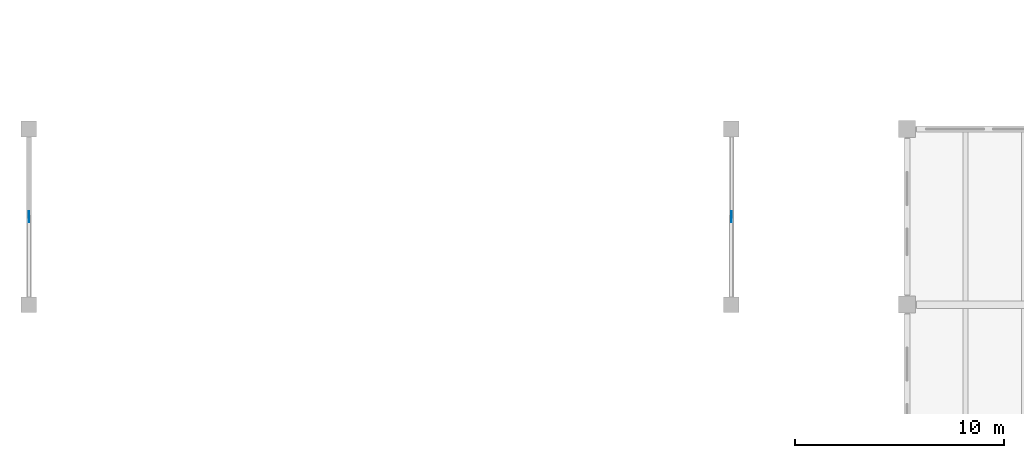
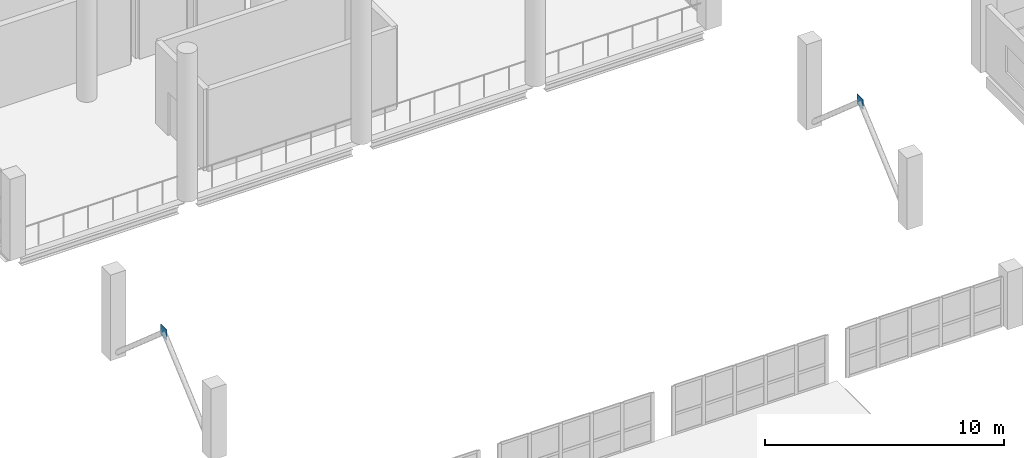
# One storey, part 141 of 177: 2 plates.
"""IFC4 building model written with IfcOpenShell, lengths in metres."""

from ifc_helpers import new_model, si_unit, direction, frame, origin, origin_2d, place, context, subcontext, project, spatial, rectangle, extrude, material, layer, layer_set, type_object, element, save


model = new_model("IFC4")

# Units and contexts
model_context = context("Model", 3, precision=1e-05, world=origin(), true_north=direction((0.0, 1.0)))
body_context = subcontext(model_context, "Body", "Model", "MODEL_VIEW")
ifc_project = project(units=[si_unit("LENGTHUNIT", "METRE"), si_unit("AREAUNIT", "SQUARE_METRE"), si_unit("VOLUMEUNIT", "CUBIC_METRE"), si_unit("PLANEANGLEUNIT", "RADIAN"), si_unit("MASSUNIT", "GRAM", prefix="KILO"), si_unit("THERMODYNAMICTEMPERATUREUNIT", "KELVIN"), si_unit("POWERUNIT", "WATT")], contexts=[model_context])

# Site, building, storey
site_placement = place(None, origin())
site = spatial("IfcSite", under=ifc_project, at=site_placement, CompositionType="ELEMENT")
building_placement = place(site_placement, origin())
building = spatial("IfcBuilding", under=site, at=building_placement, Name="Mavoryth Pier Ferry Terminal", CompositionType="ELEMENT")
storey_placement = place(building_placement, frame((0.0, 0.0, 5.43994140625)))
storey = spatial("IfcBuildingStorey", under=building, at=storey_placement, Name="L01", CompositionType="ELEMENT", Elevation=5.43994140625)

# Plates
ifc_material = material(Name="Steel S355J2", Category="steel")
ifc_layer = layer(ifc_material, 0.02001953125, Name="Steel S355J2", Category="steel")
ifc_layer_set = layer_set([ifc_layer], Name="Steel S355J2 - Plate-Gusset-520x520x20")
plate_type = type_object("IfcPlateType", Name="Plate-Gusset-520x520x20", PredefinedType="SHEET", material=ifc_layer_set)
for number, where, z_axis, x_axis, name in (
    (1, (0.0, 34.60009765625, 3.400146484375), (0.0, 0.0, 1.0), (0.0, 1.0, 0.0), "Steel Node Plate PL-L01-0079"),
    (2, (33.60009765625, 34.60009765625, 3.400146484375), (0.0, 0.0, 1.0), (0.0, 1.0, 0.0), "Steel Node Plate PL-L01-0081"),
):
    element("IfcPlate", number, at=place(storey_placement, frame(where, z_axis=z_axis, x_axis=x_axis)), inside=storey, type_object=plate_type, Name=name, PredefinedType="SHEET", context=body_context, shape_type="SweptSolid", body=[
        extrude(rectangle(XDim=0.52001953125, YDim=0.02001953125, at=origin_2d()), origin(), (0.0, 0.0, 1.0), 0.52001953125),
    ])

save(model, "model.ifc")
